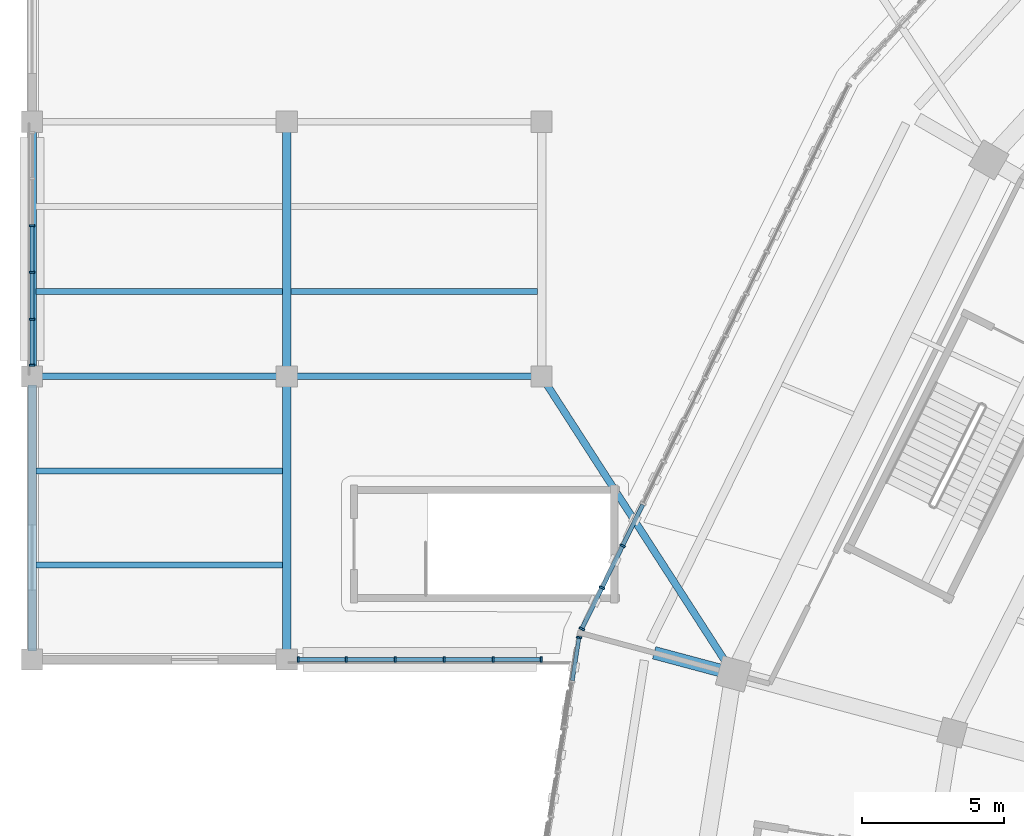
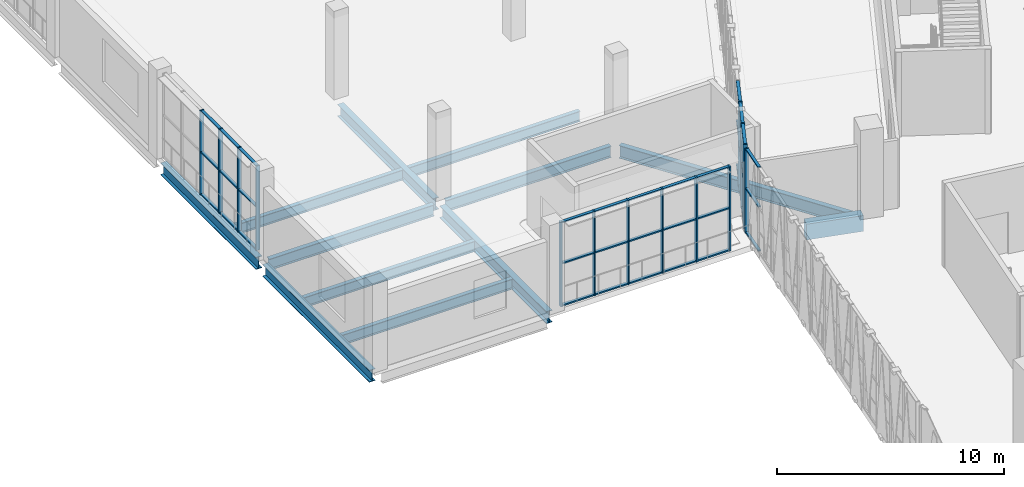
# One storey, part 22 of 152: 50 members, 12 beams, 4 elements without a shape of their own.
"""IFC4 building model written with IfcOpenShell, lengths in metres."""

from ifc_helpers import new_model, si_unit, direction, frame, origin, origin_2d, place, context, subcontext, project, spatial, rectangle, i_section, extrude, material, material_profile, profile_set, type_object, element, aggregate, save


model = new_model("IFC4")

# Units and contexts
model_context = context("Model", 3, precision=1e-05, world=origin(), true_north=direction((0.0, 1.0)))
body_context = subcontext(model_context, "Body", "Model", "MODEL_VIEW")
ifc_project = project(units=[si_unit("LENGTHUNIT", "METRE"), si_unit("AREAUNIT", "SQUARE_METRE"), si_unit("VOLUMEUNIT", "CUBIC_METRE"), si_unit("PLANEANGLEUNIT", "RADIAN"), si_unit("MASSUNIT", "GRAM", prefix="KILO")], contexts=[model_context])

# Site, building, storey
site_placement = place(None, origin())
site = spatial("IfcSite", under=ifc_project, at=site_placement, CompositionType="ELEMENT")
building_placement = place(site_placement, origin())
building = spatial("IfcBuilding", under=site, at=building_placement, Name="Zevraka Park Crest Stadium", CompositionType="ELEMENT")
storey_placement = place(building_placement, frame((0.0, 0.0, 15.0)))
storey = spatial("IfcBuildingStorey", under=building, at=storey_placement, Name="L03", CompositionType="ELEMENT", Elevation=15.0)

# Beams
ifc_material_1 = material(Name="Concrete C40/50", Category="concrete")
ifc_material_profile_1 = material_profile(ifc_material_1, rectangle(XDim=0.449951171875, YDim=0.85009765625, at=origin_2d()), Name="RC 850x450")
ifc_profile_set_1 = profile_set([ifc_material_profile_1], Name="Concrete C40/50")
beam_type_1 = type_object("IfcBeamType", Name="BG03", PredefinedType="BEAM", material=ifc_profile_set_1)
beam_1_placement = place(storey_placement, frame((24.487060546875, 111.56689453125, -0.43505859375), z_axis=(-0.965992888406, 0.258568636051, 0.0), x_axis=(-0.258568636051, -0.965992888406, 0.0)))
element("IfcBeam", 1, at=beam_1_placement, inside=storey, type_object=beam_type_1, Name="Radial Girder BG03 L03-DE-11", PredefinedType="BEAM", context=body_context, shape_type="SweptSolid", body=[
    extrude(rectangle(XDim=0.449951171875, YDim=0.85009765625, at=origin_2d()), origin(), (0.0, 0.0, 1.0), 2.599365234375),
])
ifc_material_2 = material(Name="Steel S355", Category="steel")
ifc_material_profile_2 = material_profile(ifc_material_2, i_section(OverallWidth=0.253662109375, OverallDepth=0.68359375, WebThickness=0.012451171875, FlangeThickness=0.01904296875, at=origin_2d()), Name="UKB 686x254x140")
ifc_profile_set_2 = profile_set([ifc_material_profile_2], Name="Steel S355")
beam_type_2 = type_object("IfcBeamType", Name="BG05", PredefinedType="BEAM", material=ifc_profile_set_2)
beam_2_placement = place(storey_placement, frame((18.10791015625, 121.83203125, -0.649658203125), z_axis=(0.541895124662, -0.840446115981, 0.0), x_axis=(0.840446115981, 0.541895124662, 0.0)))
element("IfcBeam", 2, at=beam_2_placement, inside=storey, type_object=beam_type_2, Name="Wing Link Girder BG05 L03-3/P", PredefinedType="BEAM", context=body_context, shape_type="SweptSolid", body=[
    extrude(i_section(OverallWidth=0.253662109375, OverallDepth=0.68359375, WebThickness=0.012451171875, FlangeThickness=0.01904296875, at=origin_2d()), origin(), (0.0, 0.0, 1.0), 11.927001953125),
])
ifc_material_3 = material(Name="Steel S355", Category="steel")
ifc_material_profile_3 = material_profile(ifc_material_3, i_section(OverallWidth=0.300048828125, OverallDepth=0.64990234375, WebThickness=0.01611328125, FlangeThickness=0.031005859375, at=origin_2d()), Name="HEB 650")
ifc_profile_set_3 = profile_set([ifc_material_profile_3], Name="Steel S355")
beam_type_3 = type_object("IfcBeamType", Name="BG07", PredefinedType="BEAM", material=ifc_profile_set_3)
beam_3_placement = place(storey_placement, frame((0.0, 112.300048828125, -0.633056640625), z_axis=(0.0, 1.0, 0.0), x_axis=(-1.0, 0.0, 0.0)))
element("IfcBeam", 3, at=beam_3_placement, inside=storey, type_object=beam_type_3, Name="Wing Girder BG07 L03-1/NP", PredefinedType="BEAM", context=body_context, shape_type="SweptSolid", body=[
    extrude(i_section(OverallWidth=0.300048828125, OverallDepth=0.64990234375, WebThickness=0.01611328125, FlangeThickness=0.031005859375, at=origin_2d()), origin(), (0.0, 0.0, 1.0), 9.39990234375),
])
beam_4_placement = place(storey_placement, frame((0.0, 122.300048828125, -0.633056640625), z_axis=(0.0, 1.0, 0.0), x_axis=(-1.0, 0.0, 0.0)))
element("IfcBeam", 4, at=beam_4_placement, inside=storey, type_object=beam_type_3, Name="Wing Girder BG07 L03-1/PQ", PredefinedType="BEAM", context=body_context, shape_type="SweptSolid", body=[
    extrude(i_section(OverallWidth=0.300048828125, OverallDepth=0.64990234375, WebThickness=0.01611328125, FlangeThickness=0.031005859375, at=origin_2d()), origin(), (0.0, 0.0, 1.0), 8.39990234375),
])
beam_5_placement = place(storey_placement, frame((9.0, 112.300048828125, -0.633056640625), z_axis=(0.0, 1.0, 0.0), x_axis=(-1.0, 0.0, 0.0)))
element("IfcBeam", 5, at=beam_5_placement, inside=storey, type_object=beam_type_3, Name="Wing Girder BG07 L03-2/NP", PredefinedType="BEAM", context=body_context, shape_type="SweptSolid", body=[
    extrude(i_section(OverallWidth=0.300048828125, OverallDepth=0.64990234375, WebThickness=0.01611328125, FlangeThickness=0.031005859375, at=origin_2d()), origin(), (0.0, 0.0, 1.0), 9.39990234375),
])
beam_6_placement = place(storey_placement, frame((9.0, 122.300048828125, -0.633056640625), z_axis=(0.0, 1.0, 0.0), x_axis=(-1.0, 0.0, 0.0)))
element("IfcBeam", 6, at=beam_6_placement, inside=storey, type_object=beam_type_3, Name="Wing Girder BG07 L03-2/PQ", PredefinedType="BEAM", context=body_context, shape_type="SweptSolid", body=[
    extrude(i_section(OverallWidth=0.300048828125, OverallDepth=0.64990234375, WebThickness=0.01611328125, FlangeThickness=0.031005859375, at=origin_2d()), origin(), (0.0, 0.0, 1.0), 8.39990234375),
])
ifc_material_4 = material(Name="Steel S355", Category="steel")
ifc_material_profile_4 = material_profile(ifc_material_4, i_section(OverallWidth=0.22900390625, OverallDepth=0.612060546875, WebThickness=0.011962890625, FlangeThickness=0.01953125, at=origin_2d()), Name="UKB 610x229x125")
ifc_profile_set_4 = profile_set([ifc_material_profile_4], Name="Steel S355")
beam_type_4 = type_object("IfcBeamType", Name="BG09", PredefinedType="BEAM", material=ifc_profile_set_4)
for number, where, z_axis, x_axis, name in (
    (7, (0.300048828125, 122.0, -0.614013671875), (1.0, 0.0, 0.0), (0.0, 1.0, 0.0), "Wing Girder BG09 L03-12/P"),
    (8, (9.300048828125, 122.0, -0.614013671875), (1.0, 0.0, 0.0), (0.0, 1.0, 0.0), "Wing Girder BG09 L03-23/P"),
):
    element("IfcBeam", number, at=place(storey_placement, frame(where, z_axis=z_axis, x_axis=x_axis)), inside=storey, type_object=beam_type_4, Name=name, PredefinedType="BEAM", context=body_context, shape_type="SweptSolid", body=[
        extrude(i_section(OverallWidth=0.22900390625, OverallDepth=0.612060546875, WebThickness=0.011962890625, FlangeThickness=0.01953125, at=origin_2d()), origin(), (0.0, 0.0, 1.0), 8.39990234375),
    ])

# Curtain wall, member
ifc_material_5 = material(Name="Anodised architectural aluminium and laminated safety glass", Category="aluminium")
curtain_wall_type_1 = type_object("IfcCurtainWallType", Name="CW11", PredefinedType="NOTDEFINED", material=ifc_material_5)
curtain_wall_1_placement = place(storey_placement, origin())
curtain_wall_1 = element("IfcCurtainWall", 9, at=curtain_wall_1_placement, inside=storey, type_object=curtain_wall_type_1, Name="Unitised Ring Curtain Wall CW11 L03-11", PredefinedType="NOTDEFINED")
ifc_material_6 = material(Name="Anodised architectural aluminium", Category="aluminium")
ifc_material_profile_5 = material_profile(ifc_material_6, rectangle(XDim=0.179931640625, YDim=0.06494140625, at=origin_2d()), Name="ALU MULLION 180x65")
ifc_profile_set_5 = profile_set([ifc_material_profile_5], Name="Anodised architectural aluminium")
member_type_1 = type_object("IfcMemberType", Name="CM02", PredefinedType="MULLION", material=ifc_profile_set_5)
member_1_placement = place(storey_placement, frame((19.322998046875, 112.781005859375, 0.0), z_axis=(0.0, 0.0, 1.0), x_axis=(0.988050931267, -0.154127730222, 0.0)))
member_1 = element("IfcMember", 10, at=member_1_placement, type_object=member_type_1, Name="CW11 mullion 1", PredefinedType="MULLION", context=body_context, shape_type="SweptSolid", body=[
    extrude(rectangle(XDim=0.179931640625, YDim=0.06494140625, at=origin_2d()), origin(), (0.0, 0.0, 1.0), 4.5400390625),
])

# Curtain wall, members
ifc_material_7 = material(Name="Anodised architectural aluminium and laminated safety glass", Category="aluminium")
curtain_wall_type_2 = type_object("IfcCurtainWallType", Name="CW12", PredefinedType="NOTDEFINED", material=ifc_material_7)
curtain_wall_2_placement = place(storey_placement, origin())
curtain_wall_2 = element("IfcCurtainWall", 11, at=curtain_wall_2_placement, inside=storey, type_object=curtain_wall_type_2, Name="Unitised Ring Curtain Wall CW12 L03-10", PredefinedType="NOTDEFINED")
ifc_material_8 = material(Name="Anodised architectural aluminium", Category="aluminium")
ifc_material_profile_6 = material_profile(ifc_material_8, rectangle(XDim=0.199951171875, YDim=0.070068359375, at=origin_2d()), Name="ALU MULLION 200x70")
ifc_profile_set_6 = profile_set([ifc_material_profile_6], Name="Anodised architectural aluminium")
member_type_2 = type_object("IfcMemberType", Name="CM03", PredefinedType="MULLION", material=ifc_profile_set_6)
member_2_placement = place(storey_placement, frame((20.861572265625, 116.02099609375, 0.0), z_axis=(0.0, 0.0, 1.0), x_axis=(0.897670958396, -0.440666370912, 0.0)))
member_2 = element("IfcMember", 12, at=member_2_placement, type_object=member_type_2, Name="CW12 mullion 12", PredefinedType="MULLION", context=body_context, shape_type="SweptSolid", body=[
    extrude(rectangle(XDim=0.199951171875, YDim=0.070068359375, at=origin_2d()), origin(), (0.0, 0.0, 1.0), 4.5400390625),
])
member_3_placement = place(storey_placement, frame((20.13330078125, 114.537353515625, 0.0), z_axis=(0.0, 0.0, 1.0), x_axis=(0.897670958396, -0.440666370912, 0.0)))
member_3 = element("IfcMember", 13, at=member_3_placement, type_object=member_type_2, Name="CW12 mullion 13", PredefinedType="MULLION", context=body_context, shape_type="SweptSolid", body=[
    extrude(rectangle(XDim=0.199951171875, YDim=0.070068359375, at=origin_2d()), origin(), (0.0, 0.0, 1.0), 4.5400390625),
])
member_4_placement = place(storey_placement, frame((19.42041015625, 113.08544921875, 0.0), z_axis=(0.0, 0.0, 1.0), x_axis=(0.897670958396, -0.440666370912, 0.0)))
member_4 = element("IfcMember", 14, at=member_4_placement, type_object=member_type_2, Name="CW12 mullion 14", PredefinedType="MULLION", context=body_context, shape_type="SweptSolid", body=[
    extrude(rectangle(XDim=0.199951171875, YDim=0.070068359375, at=origin_2d()), origin(), (0.0, 0.0, 1.0), 4.5400390625),
])

ifc_material_9 = material(Name="Anodised architectural aluminium and laminated safety glass", Category="aluminium")
curtain_wall_type_3 = type_object("IfcCurtainWallType", Name="CW30", PredefinedType="NOTDEFINED", material=ifc_material_9)
curtain_wall_3_placement = place(storey_placement, origin())
curtain_wall_3 = element("IfcCurtainWall", 15, at=curtain_wall_3_placement, inside=storey, type_object=curtain_wall_type_3, Name="Wing Curtain Wall CW30 L03-NW-W-2", PredefinedType="NOTDEFINED")
member_5_placement = place(storey_placement, frame((0.0, 122.39990234375, 0.0), z_axis=(0.0, 0.0, 1.0), x_axis=(-1.0, 0.0, 0.0)))
member_5 = element("IfcMember", 16, at=member_5_placement, type_object=member_type_2, Name="CW30 mullion 1", PredefinedType="MULLION", context=body_context, shape_type="SweptSolid", body=[
    extrude(rectangle(XDim=0.199951171875, YDim=0.070068359375, at=origin_2d()), origin(), (0.0, 0.0, 1.0), 4.5400390625),
])
member_6_placement = place(storey_placement, frame((0.0, 124.01904296875, 0.0), z_axis=(0.0, 0.0, 1.0), x_axis=(-1.0, 0.0, 0.0)))
member_6 = element("IfcMember", 17, at=member_6_placement, type_object=member_type_2, Name="CW30 mullion 2", PredefinedType="MULLION", context=body_context, shape_type="SweptSolid", body=[
    extrude(rectangle(XDim=0.199951171875, YDim=0.070068359375, at=origin_2d()), origin(), (0.0, 0.0, 1.0), 4.5400390625),
])
member_7_placement = place(storey_placement, frame((0.0, 125.673095703125, 0.0), z_axis=(0.0, 0.0, 1.0), x_axis=(-1.0, 0.0, 0.0)))
member_7 = element("IfcMember", 18, at=member_7_placement, type_object=member_type_2, Name="CW30 mullion 3", PredefinedType="MULLION", context=body_context, shape_type="SweptSolid", body=[
    extrude(rectangle(XDim=0.199951171875, YDim=0.070068359375, at=origin_2d()), origin(), (0.0, 0.0, 1.0), 4.5400390625),
])
member_8_placement = place(storey_placement, frame((0.0, 127.326904296875, 0.0), z_axis=(0.0, 0.0, 1.0), x_axis=(-1.0, 0.0, 0.0)))
member_8 = element("IfcMember", 19, at=member_8_placement, type_object=member_type_2, Name="CW30 mullion 4", PredefinedType="MULLION", context=body_context, shape_type="SweptSolid", body=[
    extrude(rectangle(XDim=0.199951171875, YDim=0.070068359375, at=origin_2d()), origin(), (0.0, 0.0, 1.0), 4.5400390625),
])

curtain_wall_4_placement = place(storey_placement, origin())
curtain_wall_4 = element("IfcCurtainWall", 20, at=curtain_wall_4_placement, inside=storey, type_object=curtain_wall_type_3, Name="Wing Curtain Wall CW30 L03-NW-S0-2", PredefinedType="NOTDEFINED")
member_9_placement = place(storey_placement, frame((17.97998046875, 112.0, 0.0), z_axis=(0.0, 0.0, 1.0), x_axis=(0.0, -1.0, 0.0)))
member_9 = element("IfcMember", 21, at=member_9_placement, type_object=member_type_2, Name="CW30 mullion 1", PredefinedType="MULLION", context=body_context, shape_type="SweptSolid", body=[
    extrude(rectangle(XDim=0.199951171875, YDim=0.070068359375, at=origin_2d()), origin(), (0.0, 0.0, 1.0), 4.5400390625),
])
member_10_placement = place(storey_placement, frame((16.284912109375, 112.0, 0.0), z_axis=(0.0, 0.0, 1.0), x_axis=(0.0, -1.0, 0.0)))
member_10 = element("IfcMember", 22, at=member_10_placement, type_object=member_type_2, Name="CW30 mullion 2", PredefinedType="MULLION", context=body_context, shape_type="SweptSolid", body=[
    extrude(rectangle(XDim=0.199951171875, YDim=0.070068359375, at=origin_2d()), origin(), (0.0, 0.0, 1.0), 4.5400390625),
])
member_11_placement = place(storey_placement, frame((14.554931640625, 112.0, 0.0), z_axis=(0.0, 0.0, 1.0), x_axis=(0.0, -1.0, 0.0)))
member_11 = element("IfcMember", 23, at=member_11_placement, type_object=member_type_2, Name="CW30 mullion 3", PredefinedType="MULLION", context=body_context, shape_type="SweptSolid", body=[
    extrude(rectangle(XDim=0.199951171875, YDim=0.070068359375, at=origin_2d()), origin(), (0.0, 0.0, 1.0), 4.5400390625),
])
member_12_placement = place(storey_placement, frame((12.824951171875, 112.0, 0.0), z_axis=(0.0, 0.0, 1.0), x_axis=(0.0, -1.0, 0.0)))
member_12 = element("IfcMember", 24, at=member_12_placement, type_object=member_type_2, Name="CW30 mullion 4", PredefinedType="MULLION", context=body_context, shape_type="SweptSolid", body=[
    extrude(rectangle(XDim=0.199951171875, YDim=0.070068359375, at=origin_2d()), origin(), (0.0, 0.0, 1.0), 4.5400390625),
])
member_13_placement = place(storey_placement, frame((11.094970703125, 112.0, 0.0), z_axis=(0.0, 0.0, 1.0), x_axis=(0.0, -1.0, 0.0)))
member_13 = element("IfcMember", 25, at=member_13_placement, type_object=member_type_2, Name="CW30 mullion 5", PredefinedType="MULLION", context=body_context, shape_type="SweptSolid", body=[
    extrude(rectangle(XDim=0.199951171875, YDim=0.070068359375, at=origin_2d()), origin(), (0.0, 0.0, 1.0), 4.5400390625),
])
member_14_placement = place(storey_placement, frame((9.39990234375, 112.0, 0.0), z_axis=(0.0, 0.0, 1.0), x_axis=(0.0, -1.0, 0.0)))
member_14 = element("IfcMember", 26, at=member_14_placement, type_object=member_type_2, Name="CW30 mullion 6", PredefinedType="MULLION", context=body_context, shape_type="SweptSolid", body=[
    extrude(rectangle(XDim=0.199951171875, YDim=0.070068359375, at=origin_2d()), origin(), (0.0, 0.0, 1.0), 4.5400390625),
])

# Member
ifc_material_10 = material(Name="Anodised architectural aluminium", Category="aluminium")
ifc_material_profile_7 = material_profile(ifc_material_10, rectangle(XDim=0.139892578125, YDim=0.06494140625, at=origin_2d()), Name="ALU TRANSOM 140x65")
ifc_profile_set_7 = profile_set([ifc_material_profile_7], Name="Anodised architectural aluminium")
member_type_3 = type_object("IfcMemberType", Name="CT02", PredefinedType="USERDEFINED", material=ifc_profile_set_7)
member_15_placement = place(storey_placement, frame((19.31787109375, 112.748779296875, 0.032470703125), z_axis=(-0.154106133662, -0.988054299909, 0.0), x_axis=(0.988054299909, -0.154106133662, 0.0)))
member_15 = element("IfcMember", 27, at=member_15_placement, type_object=member_type_3, Name="CW11 transom 1.1", ObjectType="TRANSOM", PredefinedType="USERDEFINED", context=body_context, shape_type="SweptSolid", body=[
    extrude(rectangle(XDim=0.139892578125, YDim=0.06494140625, at=origin_2d()), origin(), (0.0, 0.0, 1.0), 1.512939453125),
])

member_16_placement = place(storey_placement, frame((19.31787109375, 112.748779296875, 2.39990234375), z_axis=(-0.154106133662, -0.988054299909, 0.0), x_axis=(0.988054299909, -0.154106133662, 0.0)))
member_16 = element("IfcMember", 28, at=member_16_placement, type_object=member_type_3, Name="CW11 transom 1.2", ObjectType="TRANSOM", PredefinedType="USERDEFINED", context=body_context, shape_type="SweptSolid", body=[
    extrude(rectangle(XDim=0.139892578125, YDim=0.06494140625, at=origin_2d()), origin(), (0.0, 0.0, 1.0), 1.512939453125),
])

member_17_placement = place(storey_placement, frame((19.31787109375, 112.748779296875, 4.507568359375), z_axis=(-0.154106133662, -0.988054299909, 0.0), x_axis=(0.988054299909, -0.154106133662, 0.0)))
member_17 = element("IfcMember", 29, at=member_17_placement, type_object=member_type_3, Name="CW11 transom 1.3", ObjectType="TRANSOM", PredefinedType="USERDEFINED", context=body_context, shape_type="SweptSolid", body=[
    extrude(rectangle(XDim=0.139892578125, YDim=0.06494140625, at=origin_2d()), origin(), (0.0, 0.0, 1.0), 1.512939453125),
])

aggregate(curtain_wall_1, [member_1, member_15, member_16, member_17])

ifc_material_11 = material(Name="Anodised architectural aluminium", Category="aluminium")
ifc_material_profile_8 = material_profile(ifc_material_11, rectangle(XDim=0.14990234375, YDim=0.070068359375, at=origin_2d()), Name="ALU TRANSOM 150x70")
ifc_profile_set_8 = profile_set([ifc_material_profile_8], Name="Anodised architectural aluminium")
member_type_4 = type_object("IfcMemberType", Name="CT03", PredefinedType="USERDEFINED", material=ifc_profile_set_8)
member_18_placement = place(storey_placement, frame((21.57421875, 117.472900390625, 0.034912109375), z_axis=(-0.440598601408, -0.897704223248, 0.0), x_axis=(0.897704223248, -0.440598601408, 0.0)))
member_18 = element("IfcMember", 30, at=member_18_placement, type_object=member_type_4, Name="CW12 transom 11.1", ObjectType="TRANSOM", PredefinedType="USERDEFINED", context=body_context, shape_type="SweptSolid", body=[
    extrude(rectangle(XDim=0.14990234375, YDim=0.070068359375, at=origin_2d()), origin(), (0.0, 0.0, 1.0), 1.58251953125),
])

member_19_placement = place(storey_placement, frame((21.57421875, 117.472900390625, 2.39990234375), z_axis=(-0.440598601408, -0.897704223248, 0.0), x_axis=(0.897704223248, -0.440598601408, 0.0)))
member_19 = element("IfcMember", 31, at=member_19_placement, type_object=member_type_4, Name="CW12 transom 11.2", ObjectType="TRANSOM", PredefinedType="USERDEFINED", context=body_context, shape_type="SweptSolid", body=[
    extrude(rectangle(XDim=0.14990234375, YDim=0.070068359375, at=origin_2d()), origin(), (0.0, 0.0, 1.0), 1.58251953125),
])

member_20_placement = place(storey_placement, frame((21.57421875, 117.472900390625, 4.5048828125), z_axis=(-0.440598601408, -0.897704223248, 0.0), x_axis=(0.897704223248, -0.440598601408, 0.0)))
member_20 = element("IfcMember", 32, at=member_20_placement, type_object=member_type_4, Name="CW12 transom 11.3", ObjectType="TRANSOM", PredefinedType="USERDEFINED", context=body_context, shape_type="SweptSolid", body=[
    extrude(rectangle(XDim=0.14990234375, YDim=0.070068359375, at=origin_2d()), origin(), (0.0, 0.0, 1.0), 1.58251953125),
])

member_21_placement = place(storey_placement, frame((20.845947265625, 115.989501953125, 0.034912109375), z_axis=(-0.440598601408, -0.897704223248, 0.0), x_axis=(0.897704223248, -0.440598601408, 0.0)))
member_21 = element("IfcMember", 33, at=member_21_placement, type_object=member_type_4, Name="CW12 transom 12.1", ObjectType="TRANSOM", PredefinedType="USERDEFINED", context=body_context, shape_type="SweptSolid", body=[
    extrude(rectangle(XDim=0.14990234375, YDim=0.070068359375, at=origin_2d()), origin(), (0.0, 0.0, 1.0), 1.58251953125),
])

member_22_placement = place(storey_placement, frame((20.845947265625, 115.989501953125, 2.39990234375), z_axis=(-0.440598601408, -0.897704223248, 0.0), x_axis=(0.897704223248, -0.440598601408, 0.0)))
member_22 = element("IfcMember", 34, at=member_22_placement, type_object=member_type_4, Name="CW12 transom 12.2", ObjectType="TRANSOM", PredefinedType="USERDEFINED", context=body_context, shape_type="SweptSolid", body=[
    extrude(rectangle(XDim=0.14990234375, YDim=0.070068359375, at=origin_2d()), origin(), (0.0, 0.0, 1.0), 1.58251953125),
])

member_23_placement = place(storey_placement, frame((20.845947265625, 115.989501953125, 4.5048828125), z_axis=(-0.440598601408, -0.897704223248, 0.0), x_axis=(0.897704223248, -0.440598601408, 0.0)))
member_23 = element("IfcMember", 35, at=member_23_placement, type_object=member_type_4, Name="CW12 transom 12.3", ObjectType="TRANSOM", PredefinedType="USERDEFINED", context=body_context, shape_type="SweptSolid", body=[
    extrude(rectangle(XDim=0.14990234375, YDim=0.070068359375, at=origin_2d()), origin(), (0.0, 0.0, 1.0), 1.58251953125),
])

member_24_placement = place(storey_placement, frame((20.117919921875, 114.506103515625, 0.034912109375), z_axis=(-0.440765638904, -0.89762222096, 0.0), x_axis=(0.89762222096, -0.440765638904, 0.0)))
member_24 = element("IfcMember", 36, at=member_24_placement, type_object=member_type_4, Name="CW12 transom 13.1", ObjectType="TRANSOM", PredefinedType="USERDEFINED", context=body_context, shape_type="SweptSolid", body=[
    extrude(rectangle(XDim=0.14990234375, YDim=0.070068359375, at=origin_2d()), origin(), (0.0, 0.0, 1.0), 1.547607421875),
])

member_25_placement = place(storey_placement, frame((20.117919921875, 114.506103515625, 2.39990234375), z_axis=(-0.440765638904, -0.89762222096, 0.0), x_axis=(0.89762222096, -0.440765638904, 0.0)))
member_25 = element("IfcMember", 37, at=member_25_placement, type_object=member_type_4, Name="CW12 transom 13.2", ObjectType="TRANSOM", PredefinedType="USERDEFINED", context=body_context, shape_type="SweptSolid", body=[
    extrude(rectangle(XDim=0.14990234375, YDim=0.070068359375, at=origin_2d()), origin(), (0.0, 0.0, 1.0), 1.547607421875),
])

member_26_placement = place(storey_placement, frame((20.117919921875, 114.506103515625, 4.5048828125), z_axis=(-0.440765638904, -0.89762222096, 0.0), x_axis=(0.89762222096, -0.440765638904, 0.0)))
member_26 = element("IfcMember", 38, at=member_26_placement, type_object=member_type_4, Name="CW12 transom 13.3", ObjectType="TRANSOM", PredefinedType="USERDEFINED", context=body_context, shape_type="SweptSolid", body=[
    extrude(rectangle(XDim=0.14990234375, YDim=0.070068359375, at=origin_2d()), origin(), (0.0, 0.0, 1.0), 1.547607421875),
])

aggregate(curtain_wall_2, [member_2, member_3, member_4, member_18, member_19, member_20, member_21, member_22, member_23, member_24, member_25, member_26])

member_27_placement = place(storey_placement, frame((0.0, 122.43505859375, 0.034912109375), z_axis=(0.0, 1.0, 0.0), x_axis=(-1.0, 0.0, 0.0)))
member_27 = element("IfcMember", 39, at=member_27_placement, type_object=member_type_4, Name="CW30 transom 1.1", ObjectType="TRANSOM", PredefinedType="USERDEFINED", context=body_context, shape_type="SweptSolid", body=[
    extrude(rectangle(XDim=0.14990234375, YDim=0.070068359375, at=origin_2d()), origin(), (0.0, 0.0, 1.0), 1.548828125),
])

member_28_placement = place(storey_placement, frame((0.0, 122.43505859375, 2.300048828125), z_axis=(0.0, 1.0, 0.0), x_axis=(-1.0, 0.0, 0.0)))
member_28 = element("IfcMember", 40, at=member_28_placement, type_object=member_type_4, Name="CW30 transom 1.2", ObjectType="TRANSOM", PredefinedType="USERDEFINED", context=body_context, shape_type="SweptSolid", body=[
    extrude(rectangle(XDim=0.14990234375, YDim=0.070068359375, at=origin_2d()), origin(), (0.0, 0.0, 1.0), 1.548828125),
])

member_29_placement = place(storey_placement, frame((0.0, 122.43505859375, 4.5048828125), z_axis=(0.0, 1.0, 0.0), x_axis=(-1.0, 0.0, 0.0)))
member_29 = element("IfcMember", 41, at=member_29_placement, type_object=member_type_4, Name="CW30 transom 1.3", ObjectType="TRANSOM", PredefinedType="USERDEFINED", context=body_context, shape_type="SweptSolid", body=[
    extrude(rectangle(XDim=0.14990234375, YDim=0.070068359375, at=origin_2d()), origin(), (0.0, 0.0, 1.0), 1.548828125),
])

member_30_placement = place(storey_placement, frame((0.0, 124.053955078125, 0.034912109375), z_axis=(0.0, 1.0, 0.0), x_axis=(-1.0, 0.0, 0.0)))
member_30 = element("IfcMember", 42, at=member_30_placement, type_object=member_type_4, Name="CW30 transom 2.1", ObjectType="TRANSOM", PredefinedType="USERDEFINED", context=body_context, shape_type="SweptSolid", body=[
    extrude(rectangle(XDim=0.14990234375, YDim=0.070068359375, at=origin_2d()), origin(), (0.0, 0.0, 1.0), 1.583984375),
])

member_31_placement = place(storey_placement, frame((0.0, 124.053955078125, 2.300048828125), z_axis=(0.0, 1.0, 0.0), x_axis=(-1.0, 0.0, 0.0)))
member_31 = element("IfcMember", 43, at=member_31_placement, type_object=member_type_4, Name="CW30 transom 2.2", ObjectType="TRANSOM", PredefinedType="USERDEFINED", context=body_context, shape_type="SweptSolid", body=[
    extrude(rectangle(XDim=0.14990234375, YDim=0.070068359375, at=origin_2d()), origin(), (0.0, 0.0, 1.0), 1.583984375),
])

member_32_placement = place(storey_placement, frame((0.0, 124.053955078125, 4.5048828125), z_axis=(0.0, 1.0, 0.0), x_axis=(-1.0, 0.0, 0.0)))
member_32 = element("IfcMember", 44, at=member_32_placement, type_object=member_type_4, Name="CW30 transom 2.3", ObjectType="TRANSOM", PredefinedType="USERDEFINED", context=body_context, shape_type="SweptSolid", body=[
    extrude(rectangle(XDim=0.14990234375, YDim=0.070068359375, at=origin_2d()), origin(), (0.0, 0.0, 1.0), 1.583984375),
])

member_33_placement = place(storey_placement, frame((0.0, 125.7080078125, 0.034912109375), z_axis=(0.0, 1.0, 0.0), x_axis=(-1.0, 0.0, 0.0)))
member_33 = element("IfcMember", 45, at=member_33_placement, type_object=member_type_4, Name="CW30 transom 3.1", ObjectType="TRANSOM", PredefinedType="USERDEFINED", context=body_context, shape_type="SweptSolid", body=[
    extrude(rectangle(XDim=0.14990234375, YDim=0.070068359375, at=origin_2d()), origin(), (0.0, 0.0, 1.0), 1.583984375),
])

member_34_placement = place(storey_placement, frame((0.0, 125.7080078125, 2.300048828125), z_axis=(0.0, 1.0, 0.0), x_axis=(-1.0, 0.0, 0.0)))
member_34 = element("IfcMember", 46, at=member_34_placement, type_object=member_type_4, Name="CW30 transom 3.2", ObjectType="TRANSOM", PredefinedType="USERDEFINED", context=body_context, shape_type="SweptSolid", body=[
    extrude(rectangle(XDim=0.14990234375, YDim=0.070068359375, at=origin_2d()), origin(), (0.0, 0.0, 1.0), 1.583984375),
])

member_35_placement = place(storey_placement, frame((0.0, 125.7080078125, 4.5048828125), z_axis=(0.0, 1.0, 0.0), x_axis=(-1.0, 0.0, 0.0)))
member_35 = element("IfcMember", 47, at=member_35_placement, type_object=member_type_4, Name="CW30 transom 3.3", ObjectType="TRANSOM", PredefinedType="USERDEFINED", context=body_context, shape_type="SweptSolid", body=[
    extrude(rectangle(XDim=0.14990234375, YDim=0.070068359375, at=origin_2d()), origin(), (0.0, 0.0, 1.0), 1.583984375),
])

aggregate(curtain_wall_3, [member_5, member_6, member_7, member_8, member_27, member_28, member_29, member_30, member_31, member_32, member_33, member_34, member_35])

member_36_placement = place(storey_placement, frame((17.945068359375, 112.0, 0.034912109375), z_axis=(-1.0, 0.0, 0.0), x_axis=(0.0, -1.0, 0.0)))
member_36 = element("IfcMember", 48, at=member_36_placement, type_object=member_type_4, Name="CW30 transom 1.1", ObjectType="TRANSOM", PredefinedType="USERDEFINED", context=body_context, shape_type="SweptSolid", body=[
    extrude(rectangle(XDim=0.14990234375, YDim=0.070068359375, at=origin_2d()), origin(), (0.0, 0.0, 1.0), 1.625),
])

member_37_placement = place(storey_placement, frame((17.945068359375, 112.0, 2.300048828125), z_axis=(-1.0, 0.0, 0.0), x_axis=(0.0, -1.0, 0.0)))
member_37 = element("IfcMember", 49, at=member_37_placement, type_object=member_type_4, Name="CW30 transom 1.2", ObjectType="TRANSOM", PredefinedType="USERDEFINED", context=body_context, shape_type="SweptSolid", body=[
    extrude(rectangle(XDim=0.14990234375, YDim=0.070068359375, at=origin_2d()), origin(), (0.0, 0.0, 1.0), 1.625),
])

member_38_placement = place(storey_placement, frame((17.945068359375, 112.0, 4.5048828125), z_axis=(-1.0, 0.0, 0.0), x_axis=(0.0, -1.0, 0.0)))
member_38 = element("IfcMember", 50, at=member_38_placement, type_object=member_type_4, Name="CW30 transom 1.3", ObjectType="TRANSOM", PredefinedType="USERDEFINED", context=body_context, shape_type="SweptSolid", body=[
    extrude(rectangle(XDim=0.14990234375, YDim=0.070068359375, at=origin_2d()), origin(), (0.0, 0.0, 1.0), 1.625),
])

member_39_placement = place(storey_placement, frame((16.25, 112.0, 0.034912109375), z_axis=(-1.0, 0.0, 0.0), x_axis=(0.0, -1.0, 0.0)))
member_39 = element("IfcMember", 51, at=member_39_placement, type_object=member_type_4, Name="CW30 transom 2.1", ObjectType="TRANSOM", PredefinedType="USERDEFINED", context=body_context, shape_type="SweptSolid", body=[
    extrude(rectangle(XDim=0.14990234375, YDim=0.070068359375, at=origin_2d()), origin(), (0.0, 0.0, 1.0), 1.659912109375),
])

member_40_placement = place(storey_placement, frame((16.25, 112.0, 2.300048828125), z_axis=(-1.0, 0.0, 0.0), x_axis=(0.0, -1.0, 0.0)))
member_40 = element("IfcMember", 52, at=member_40_placement, type_object=member_type_4, Name="CW30 transom 2.2", ObjectType="TRANSOM", PredefinedType="USERDEFINED", context=body_context, shape_type="SweptSolid", body=[
    extrude(rectangle(XDim=0.14990234375, YDim=0.070068359375, at=origin_2d()), origin(), (0.0, 0.0, 1.0), 1.659912109375),
])

member_41_placement = place(storey_placement, frame((16.25, 112.0, 4.5048828125), z_axis=(-1.0, 0.0, 0.0), x_axis=(0.0, -1.0, 0.0)))
member_41 = element("IfcMember", 53, at=member_41_placement, type_object=member_type_4, Name="CW30 transom 2.3", ObjectType="TRANSOM", PredefinedType="USERDEFINED", context=body_context, shape_type="SweptSolid", body=[
    extrude(rectangle(XDim=0.14990234375, YDim=0.070068359375, at=origin_2d()), origin(), (0.0, 0.0, 1.0), 1.659912109375),
])

member_42_placement = place(storey_placement, frame((14.52001953125, 112.0, 0.034912109375), z_axis=(-1.0, 0.0, 0.0), x_axis=(0.0, -1.0, 0.0)))
member_42 = element("IfcMember", 54, at=member_42_placement, type_object=member_type_4, Name="CW30 transom 3.1", ObjectType="TRANSOM", PredefinedType="USERDEFINED", context=body_context, shape_type="SweptSolid", body=[
    extrude(rectangle(XDim=0.14990234375, YDim=0.070068359375, at=origin_2d()), origin(), (0.0, 0.0, 1.0), 1.659912109375),
])

member_43_placement = place(storey_placement, frame((14.52001953125, 112.0, 2.300048828125), z_axis=(-1.0, 0.0, 0.0), x_axis=(0.0, -1.0, 0.0)))
member_43 = element("IfcMember", 55, at=member_43_placement, type_object=member_type_4, Name="CW30 transom 3.2", ObjectType="TRANSOM", PredefinedType="USERDEFINED", context=body_context, shape_type="SweptSolid", body=[
    extrude(rectangle(XDim=0.14990234375, YDim=0.070068359375, at=origin_2d()), origin(), (0.0, 0.0, 1.0), 1.659912109375),
])

member_44_placement = place(storey_placement, frame((14.52001953125, 112.0, 4.5048828125), z_axis=(-1.0, 0.0, 0.0), x_axis=(0.0, -1.0, 0.0)))
member_44 = element("IfcMember", 56, at=member_44_placement, type_object=member_type_4, Name="CW30 transom 3.3", ObjectType="TRANSOM", PredefinedType="USERDEFINED", context=body_context, shape_type="SweptSolid", body=[
    extrude(rectangle(XDim=0.14990234375, YDim=0.070068359375, at=origin_2d()), origin(), (0.0, 0.0, 1.0), 1.659912109375),
])

member_45_placement = place(storey_placement, frame((12.7900390625, 112.0, 0.034912109375), z_axis=(-1.0, 0.0, 0.0), x_axis=(0.0, -1.0, 0.0)))
member_45 = element("IfcMember", 57, at=member_45_placement, type_object=member_type_4, Name="CW30 transom 4.1", ObjectType="TRANSOM", PredefinedType="USERDEFINED", context=body_context, shape_type="SweptSolid", body=[
    extrude(rectangle(XDim=0.14990234375, YDim=0.070068359375, at=origin_2d()), origin(), (0.0, 0.0, 1.0), 1.66015625),
])

member_46_placement = place(storey_placement, frame((12.7900390625, 112.0, 2.300048828125), z_axis=(-1.0, 0.0, 0.0), x_axis=(0.0, -1.0, 0.0)))
member_46 = element("IfcMember", 58, at=member_46_placement, type_object=member_type_4, Name="CW30 transom 4.2", ObjectType="TRANSOM", PredefinedType="USERDEFINED", context=body_context, shape_type="SweptSolid", body=[
    extrude(rectangle(XDim=0.14990234375, YDim=0.070068359375, at=origin_2d()), origin(), (0.0, 0.0, 1.0), 1.66015625),
])

member_47_placement = place(storey_placement, frame((12.7900390625, 112.0, 4.5048828125), z_axis=(-1.0, 0.0, 0.0), x_axis=(0.0, -1.0, 0.0)))
member_47 = element("IfcMember", 59, at=member_47_placement, type_object=member_type_4, Name="CW30 transom 4.3", ObjectType="TRANSOM", PredefinedType="USERDEFINED", context=body_context, shape_type="SweptSolid", body=[
    extrude(rectangle(XDim=0.14990234375, YDim=0.070068359375, at=origin_2d()), origin(), (0.0, 0.0, 1.0), 1.66015625),
])

member_48_placement = place(storey_placement, frame((11.06005859375, 112.0, 0.034912109375), z_axis=(-1.0, 0.0, 0.0), x_axis=(0.0, -1.0, 0.0)))
member_48 = element("IfcMember", 60, at=member_48_placement, type_object=member_type_4, Name="CW30 transom 5.1", ObjectType="TRANSOM", PredefinedType="USERDEFINED", context=body_context, shape_type="SweptSolid", body=[
    extrude(rectangle(XDim=0.14990234375, YDim=0.070068359375, at=origin_2d()), origin(), (0.0, 0.0, 1.0), 1.625),
])

member_49_placement = place(storey_placement, frame((11.06005859375, 112.0, 2.300048828125), z_axis=(-1.0, 0.0, 0.0), x_axis=(0.0, -1.0, 0.0)))
member_49 = element("IfcMember", 61, at=member_49_placement, type_object=member_type_4, Name="CW30 transom 5.2", ObjectType="TRANSOM", PredefinedType="USERDEFINED", context=body_context, shape_type="SweptSolid", body=[
    extrude(rectangle(XDim=0.14990234375, YDim=0.070068359375, at=origin_2d()), origin(), (0.0, 0.0, 1.0), 1.625),
])

member_50_placement = place(storey_placement, frame((11.06005859375, 112.0, 4.5048828125), z_axis=(-1.0, 0.0, 0.0), x_axis=(0.0, -1.0, 0.0)))
member_50 = element("IfcMember", 62, at=member_50_placement, type_object=member_type_4, Name="CW30 transom 5.3", ObjectType="TRANSOM", PredefinedType="USERDEFINED", context=body_context, shape_type="SweptSolid", body=[
    extrude(rectangle(XDim=0.14990234375, YDim=0.070068359375, at=origin_2d()), origin(), (0.0, 0.0, 1.0), 1.625),
])

aggregate(curtain_wall_4, [member_9, member_10, member_11, member_12, member_13, member_14, member_36, member_37, member_38, member_39, member_40, member_41, member_42, member_43, member_44, member_45, member_46, member_47, member_48, member_49, member_50])

# Beams
ifc_material_12 = material(Name="Steel S355", Category="steel")
ifc_material_profile_9 = material_profile(ifc_material_12, i_section(OverallWidth=0.2099609375, OverallDepth=0.550048828125, WebThickness=0.010986328125, FlangeThickness=0.01708984375, at=origin_2d()), Name="IPE 550")
ifc_profile_set_9 = profile_set([ifc_material_profile_9], Name="Steel S355")
beam_type_5 = type_object("IfcBeamType", Name="SJ04", PredefinedType="JOIST", material=ifc_profile_set_9)
for number, where, z_axis, x_axis, name in (
    (63, (0.14501953125, 115.3330078125, -0.5849609375), (1.0, 0.0, 0.0), (0.0, 1.0, 0.0), "Wing Joist SJ04 L03-1/N-1"),
    (64, (0.14501953125, 118.6669921875, -0.5849609375), (1.0, 0.0, 0.0), (0.0, 1.0, 0.0), "Wing Joist SJ04 L03-1/N-2"),
    (65, (0.14501953125, 125.0, -0.5849609375), (1.0, 0.0, 0.0), (0.0, 1.0, 0.0), "Wing Joist SJ04 L03-1/P-1"),
    (66, (9.14501953125, 125.0, -0.5849609375), (1.0, 0.0, 0.0), (0.0, 1.0, 0.0), "Wing Joist SJ04 L03-2/P-1"),
):
    element("IfcBeam", number, at=place(storey_placement, frame(where, z_axis=z_axis, x_axis=x_axis)), inside=storey, type_object=beam_type_5, Name=name, PredefinedType="JOIST", context=body_context, shape_type="SweptSolid", body=[
        extrude(i_section(OverallWidth=0.2099609375, OverallDepth=0.550048828125, WebThickness=0.010986328125, FlangeThickness=0.01708984375, at=origin_2d()), origin(), (0.0, 0.0, 1.0), 8.7099609375),
    ])

save(model, "model.ifc")
